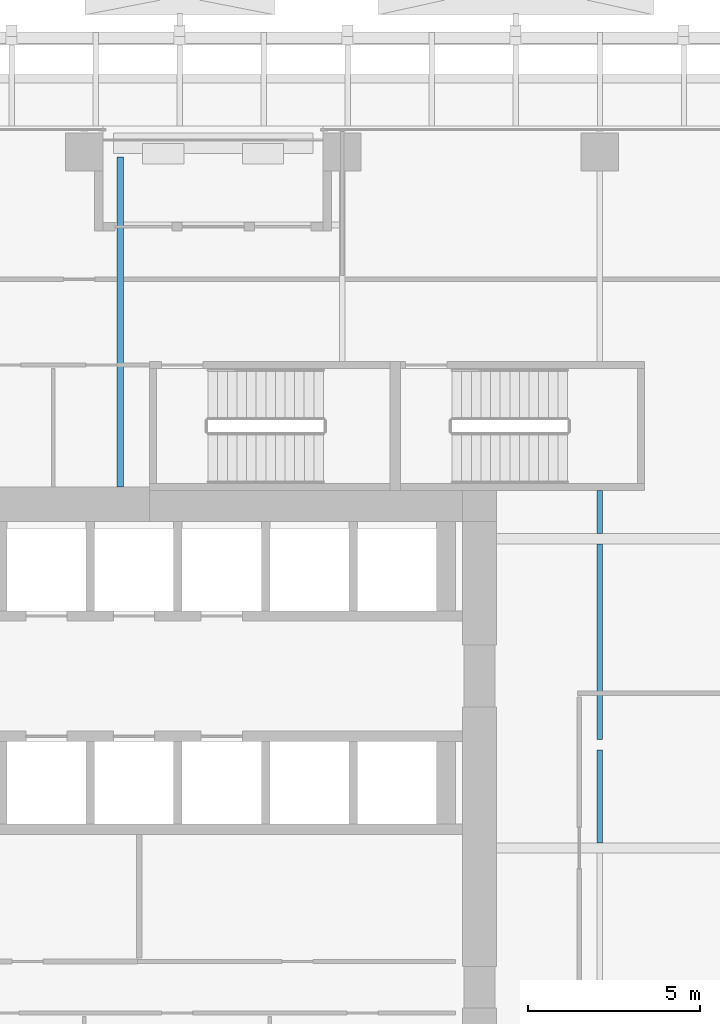
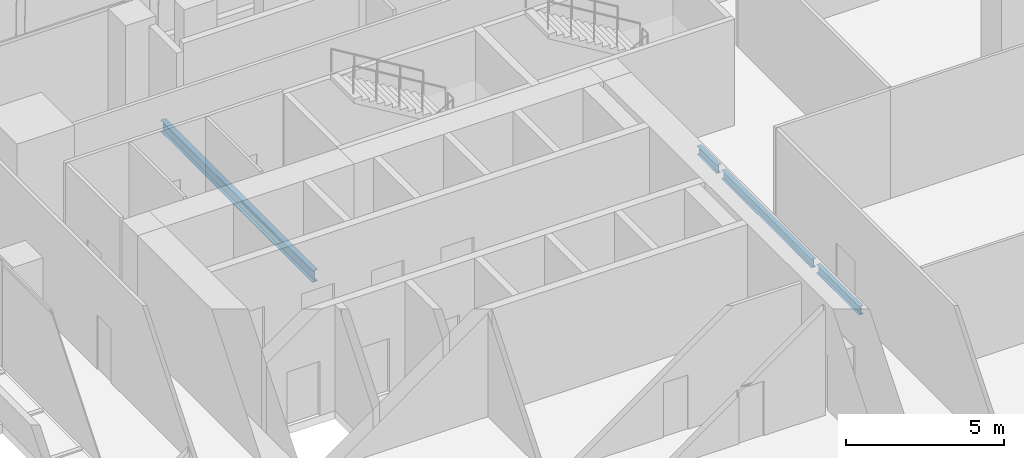
# One storey, part 13 of 37: 4 beams.
"""IFC4 building model written with IfcOpenShell, lengths in metres."""

from ifc_helpers import new_model, si_unit, direction, frame, origin, origin_2d, place, context, subcontext, project, spatial, i_section, extrude, source, transform, mapped, material, material_profile, profile_set, type_object, element, save


model = new_model("IFC4")

# Units and contexts
model_context = context("Model", 3, precision=1e-05, world=origin(), true_north=direction((0.0, 1.0)))
body_context = subcontext(model_context, "Body", "Model", "MODEL_VIEW")
ifc_project = project(units=[si_unit("LENGTHUNIT", "METRE"), si_unit("AREAUNIT", "SQUARE_METRE"), si_unit("VOLUMEUNIT", "CUBIC_METRE"), si_unit("PLANEANGLEUNIT", "RADIAN"), si_unit("MASSUNIT", "GRAM", prefix="KILO")], contexts=[model_context])

# Site, building, storey
site_placement = place(None, origin())
site = spatial("IfcSite", under=ifc_project, at=site_placement, CompositionType="ELEMENT")
building_placement = place(site_placement, origin())
building = spatial("IfcBuilding", under=site, at=building_placement, Name="Khomas Fold Tower", CompositionType="ELEMENT")
storey_placement = place(building_placement, frame((0.0, 0.0, 101.5)))
storey = spatial("IfcBuildingStorey", under=building, at=storey_placement, Name="L21", CompositionType="ELEMENT", Elevation=101.5)

# Beams
ifc_material_1 = material(Name="Steel S355", Category="steel")
ifc_material_profile_1 = material_profile(ifc_material_1, i_section(OverallWidth=0.159912109375, OverallDepth=0.330078125, WebThickness=0.007568359375, FlangeThickness=0.011474609375, at=origin_2d()), Name="IPE 330")
ifc_profile_set_1 = profile_set([ifc_material_profile_1], Name="Steel S355")
beam_type_1 = type_object("IfcBeamType", Name="IPE 330 beam JB1", PredefinedType="BEAM", material=ifc_profile_set_1)
shared_shape_1 = source(origin(), body_context, "Body", "SweptSolid", [
    extrude(i_section(OverallWidth=0.159912109375, OverallDepth=0.330078125, WebThickness=0.007568359375, FlangeThickness=0.011474609375, at=origin_2d()), origin(), (0.0, 0.0, 1.0), 1.25),
])
beam_1_placement = place(storey_placement, frame((27.0, 40.64990234375, -0.465087890625), z_axis=(0.0, 1.0, 0.0), x_axis=(-1.0, 0.0, 0.0)))
element("IfcBeam", 1, at=beam_1_placement, inside=storey, type_object=beam_type_1, Name="JB1", PredefinedType="BEAM", context=body_context, shape_type="MappedRepresentation", body=[
    mapped(shared_shape_1, transform((0.0, 0.0, 0.0))),
])
shared_shape_2 = source(origin(), body_context, "Body", "SweptSolid", [
    extrude(i_section(OverallWidth=0.159912109375, OverallDepth=0.330078125, WebThickness=0.007568359375, FlangeThickness=0.011474609375, at=origin_2d()), origin(), (0.0, 0.0, 1.0), 5.698486328125),
])
beam_2_placement = place(storey_placement, frame((27.0, 34.651611328125, -0.465087890625), z_axis=(0.0, 1.0, 0.0), x_axis=(-1.0, 0.0, 0.0)))
element("IfcBeam", 2, at=beam_2_placement, inside=storey, type_object=beam_type_1, Name="JB1", PredefinedType="BEAM", context=body_context, shape_type="MappedRepresentation", body=[
    mapped(shared_shape_2, transform((0.0, 0.0, 0.0))),
])
shared_shape_3 = source(origin(), body_context, "Body", "SweptSolid", [
    extrude(i_section(OverallWidth=0.159912109375, OverallDepth=0.330078125, WebThickness=0.007568359375, FlangeThickness=0.011474609375, at=origin_2d()), origin(), (0.0, 0.0, 1.0), 2.698486328125),
])
beam_3_placement = place(storey_placement, frame((27.0, 31.64990234375, -0.465087890625), z_axis=(0.0, 1.0, 0.0), x_axis=(-1.0, 0.0, 0.0)))
element("IfcBeam", 3, at=beam_3_placement, inside=storey, type_object=beam_type_1, Name="JB1", PredefinedType="BEAM", context=body_context, shape_type="MappedRepresentation", body=[
    mapped(shared_shape_3, transform((0.0, 0.0, 0.0))),
])
ifc_material_2 = material(Name="Steel S355", Category="steel")
ifc_material_profile_2 = material_profile(ifc_material_2, i_section(OverallWidth=0.18994140625, OverallDepth=0.449951171875, WebThickness=0.009521484375, FlangeThickness=0.0146484375, at=origin_2d()), Name="IPE 450")
ifc_profile_set_2 = profile_set([ifc_material_profile_2], Name="Steel S355")
beam_type_2 = type_object("IfcBeamType", Name="IPE 450 beam BB6", PredefinedType="BEAM", material=ifc_profile_set_2)
shared_shape_4 = source(origin(), body_context, "Body", "SweptSolid", [
    extrude(i_section(OverallWidth=0.18994140625, OverallDepth=0.449951171875, WebThickness=0.009521484375, FlangeThickness=0.0146484375, at=origin_2d()), origin(), (0.0, 0.0, 1.0), 9.60009765625),
])
beam_4_placement = place(storey_placement, frame((13.050048828125, 42.0, -0.52490234375), z_axis=(0.0, 1.0, 0.0), x_axis=(-1.0, 0.0, 0.0)))
element("IfcBeam", 4, at=beam_4_placement, inside=storey, type_object=beam_type_2, Name="BB6", PredefinedType="BEAM", context=body_context, shape_type="MappedRepresentation", body=[
    mapped(shared_shape_4, transform((0.0, 0.0, 0.0))),
])

save(model, "model.ifc")
